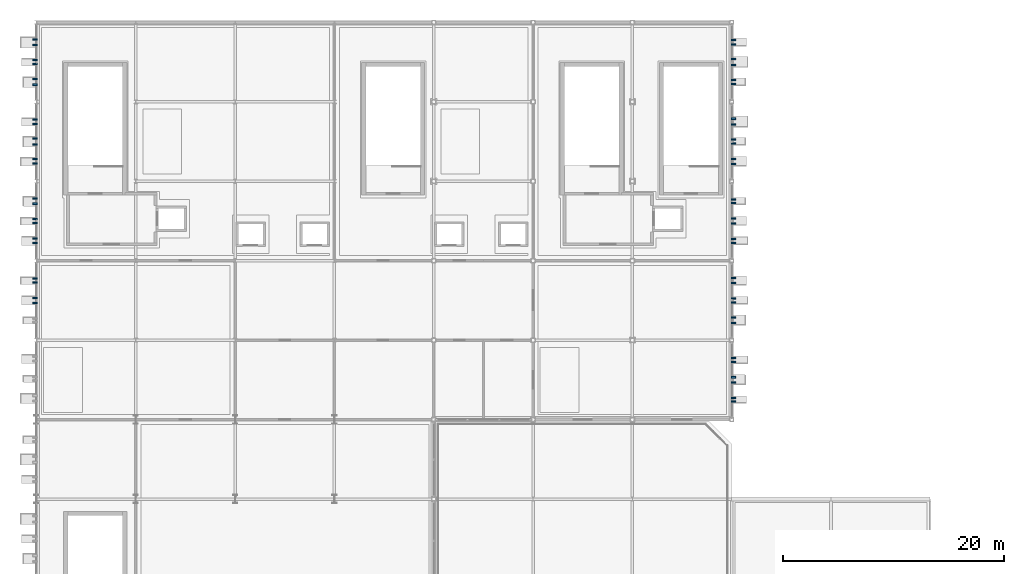
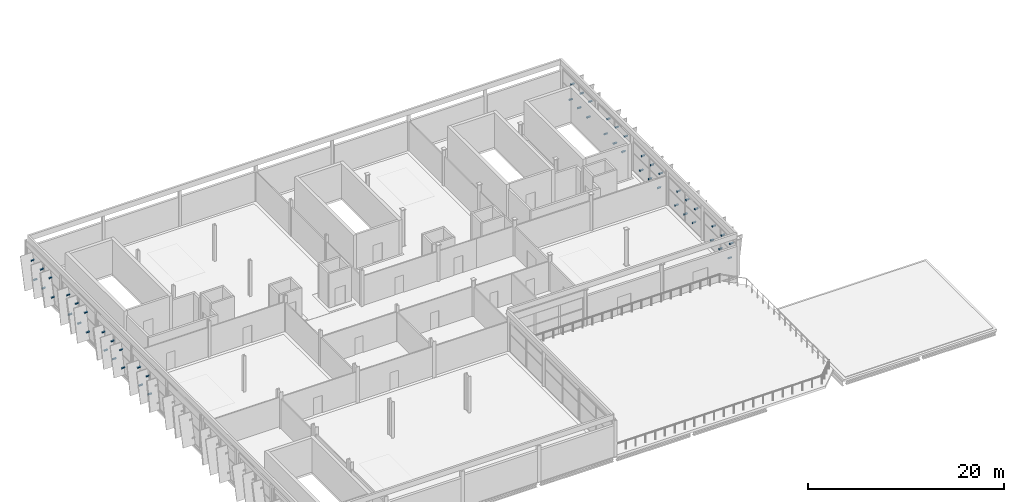
# One storey, part 49 of 52: 52 discrete accessories.
"""IFC4 building model written with IfcOpenShell, lengths in metres."""

from ifc_helpers import new_model, si_unit, direction, frame, origin, origin_2d, place, context, subcontext, project, spatial, rectangle, extrude, material, type_object, element, save


model = new_model("IFC4")

# Units and contexts
model_context = context("Model", 3, precision=1e-05, world=origin(), true_north=direction((0.0, 1.0)))
body_context = subcontext(model_context, "Body", "Model", "MODEL_VIEW")
ifc_project = project(units=[si_unit("LENGTHUNIT", "METRE"), si_unit("AREAUNIT", "SQUARE_METRE"), si_unit("VOLUMEUNIT", "CUBIC_METRE"), si_unit("PLANEANGLEUNIT", "RADIAN"), si_unit("MASSUNIT", "GRAM", prefix="KILO")], contexts=[model_context])

# Site, building, storey
site_placement = place(None, origin())
site = spatial("IfcSite", under=ifc_project, at=site_placement, CompositionType="ELEMENT")
building_placement = place(site_placement, origin())
building = spatial("IfcBuilding", under=site, at=building_placement, Name="Celestram Park Convention Centre", CompositionType="ELEMENT")
storey_placement = place(building_placement, frame((0.0, 0.0, 24.300048828125)))
storey = spatial("IfcBuildingStorey", under=building, at=storey_placement, Name="L05", CompositionType="ELEMENT", Elevation=24.300048828125)

# Discrete accessories
ifc_material = material(Name="Steel ASTM A500 Grade C", Category="steel")
discrete_accessory_type = type_object("IfcDiscreteAccessoryType", Name="ARC-BRK-OUT400", PredefinedType="BRACKET", material=ifc_material)
for number, where, z_axis, x_axis, name in (
    (1, (35.85009765625, 140.1865234375, 0.7578125), (0.0, 0.0, 1.0), (-1.0, 0.0, 0.0), "Solar fin outrigger bracket BK-L05-1543"),
    (2, (35.85009765625, 140.613525390625, 2.75), (0.0, 0.0, 1.0), (-1.0, 0.0, 0.0), "Solar fin outrigger bracket BK-L05-1544"),
    (3, (35.85009765625, 142.01611328125, 0.751953125), (0.0, 0.0, 1.0), (-1.0, 0.0, 0.0), "Solar fin outrigger bracket BK-L05-1545"),
    (4, (35.85009765625, 142.3837890625, 2.755859375), (0.0, 0.0, 1.0), (-1.0, 0.0, 0.0), "Solar fin outrigger bracket BK-L05-1546"),
    (5, (35.85009765625, 145.58642578125, 0.7578125), (0.0, 0.0, 1.0), (-1.0, 0.0, 0.0), "Solar fin outrigger bracket BK-L05-1547"),
    (6, (35.85009765625, 146.013427734375, 2.75), (0.0, 0.0, 1.0), (-1.0, 0.0, 0.0), "Solar fin outrigger bracket BK-L05-1548"),
    (7, (35.85009765625, 147.416015625, 0.751953125), (0.0, 0.0, 1.0), (-1.0, 0.0, 0.0), "Solar fin outrigger bracket BK-L05-1549"),
    (8, (35.85009765625, 147.783935546875, 2.755859375), (0.0, 0.0, 1.0), (-1.0, 0.0, 0.0), "Solar fin outrigger bracket BK-L05-1550"),
    (9, (35.85009765625, 149.163818359375, 0.76318359375), (0.0, 0.0, 1.0), (-1.0, 0.0, 0.0), "Solar fin outrigger bracket BK-L05-1551"),
    (10, (35.85009765625, 149.635986328125, 2.7451171875), (0.0, 0.0, 1.0), (-1.0, 0.0, 0.0), "Solar fin outrigger bracket BK-L05-1552"),
    (11, (35.85009765625, 152.7978515625, 0.83349609375), (0.0, 0.0, 1.0), (-1.0, 0.0, 0.0), "Solar fin outrigger bracket BK-L05-1553"),
    (12, (35.85009765625, 153.2021484375, 3.03662109375), (0.0, 0.0, 1.0), (-1.0, 0.0, 0.0), "Solar fin outrigger bracket BK-L05-1554"),
    (13, (35.85009765625, 154.540283203125, 0.845703125), (0.0, 0.0, 1.0), (-1.0, 0.0, 0.0), "Solar fin outrigger bracket BK-L05-1555"),
    (14, (35.85009765625, 155.0595703125, 3.0244140625), (0.0, 0.0, 1.0), (-1.0, 0.0, 0.0), "Solar fin outrigger bracket BK-L05-1556"),
    (15, (35.85009765625, 156.409423828125, 0.83154296875), (0.0, 0.0, 1.0), (-1.0, 0.0, 0.0), "Solar fin outrigger bracket BK-L05-1557"),
    (16, (35.85009765625, 156.79052734375, 3.03857421875), (0.0, 0.0, 1.0), (-1.0, 0.0, 0.0), "Solar fin outrigger bracket BK-L05-1558"),
    (17, (35.85009765625, 159.947265625, 0.8212890625), (0.0, 0.0, 1.0), (-1.0, 0.0, 0.0), "Solar fin outrigger bracket BK-L05-1559"),
    (18, (35.85009765625, 160.45263671875, 2.9423828125), (0.0, 0.0, 1.0), (-1.0, 0.0, 0.0), "Solar fin outrigger bracket BK-L05-1560"),
    (19, (35.85009765625, 161.814453125, 0.8076171875), (0.0, 0.0, 1.0), (-1.0, 0.0, 0.0), "Solar fin outrigger bracket BK-L05-1561"),
    (20, (35.85009765625, 162.185546875, 2.95654296875), (0.0, 0.0, 1.0), (-1.0, 0.0, 0.0), "Solar fin outrigger bracket BK-L05-1562"),
    (21, (35.85009765625, 163.539794921875, 0.8232421875), (0.0, 0.0, 1.0), (-1.0, 0.0, 0.0), "Solar fin outrigger bracket BK-L05-1563"),
    (22, (35.85009765625, 164.06005859375, 2.94091796875), (0.0, 0.0, 1.0), (-1.0, 0.0, 0.0), "Solar fin outrigger bracket BK-L05-1564"),
    (23, (99.14990234375, 163.985595703125, 0.8076171875), (0.0, 0.0, 1.0), (1.0, 0.0, 0.0), "Solar fin outrigger bracket BK-L05-1565"),
    (24, (99.14990234375, 163.614501953125, 2.95654296875), (0.0, 0.0, 1.0), (1.0, 0.0, 0.0), "Solar fin outrigger bracket BK-L05-1566"),
    (25, (99.14990234375, 162.260009765625, 0.8232421875), (0.0, 0.0, 1.0), (1.0, 0.0, 0.0), "Solar fin outrigger bracket BK-L05-1567"),
    (26, (99.14990234375, 161.739990234375, 2.94091796875), (0.0, 0.0, 1.0), (1.0, 0.0, 0.0), "Solar fin outrigger bracket BK-L05-1568"),
    (27, (99.14990234375, 160.374267578125, 0.8056640625), (0.0, 0.0, 1.0), (1.0, 0.0, 0.0), "Solar fin outrigger bracket BK-L05-1569"),
    (28, (99.14990234375, 160.025634765625, 2.95849609375), (0.0, 0.0, 1.0), (1.0, 0.0, 0.0), "Solar fin outrigger bracket BK-L05-1570"),
    (29, (99.14990234375, 156.8671875, 0.84716796875), (0.0, 0.0, 1.0), (1.0, 0.0, 0.0), "Solar fin outrigger bracket BK-L05-1571"),
    (30, (99.14990234375, 156.332763671875, 3.0224609375), (0.0, 0.0, 1.0), (1.0, 0.0, 0.0), "Solar fin outrigger bracket BK-L05-1572"),
    (31, (99.14990234375, 154.97900390625, 0.82958984375), (0.0, 0.0, 1.0), (1.0, 0.0, 0.0), "Solar fin outrigger bracket BK-L05-1573"),
    (32, (99.14990234375, 154.620849609375, 3.04052734375), (0.0, 0.0, 1.0), (1.0, 0.0, 0.0), "Solar fin outrigger bracket BK-L05-1574"),
    (33, (99.14990234375, 153.23486328125, 0.83984375), (0.0, 0.0, 1.0), (1.0, 0.0, 0.0), "Solar fin outrigger bracket BK-L05-1575"),
    (34, (99.14990234375, 152.76513671875, 3.0302734375), (0.0, 0.0, 1.0), (1.0, 0.0, 0.0), "Solar fin outrigger bracket BK-L05-1576"),
    (35, (99.14990234375, 149.56298828125, 0.74853515625), (0.0, 0.0, 1.0), (1.0, 0.0, 0.0), "Solar fin outrigger bracket BK-L05-1577"),
    (36, (99.14990234375, 149.237060546875, 2.75927734375), (0.0, 0.0, 1.0), (1.0, 0.0, 0.0), "Solar fin outrigger bracket BK-L05-1578"),
    (37, (99.14990234375, 147.8134765625, 0.7578125), (0.0, 0.0, 1.0), (1.0, 0.0, 0.0), "Solar fin outrigger bracket BK-L05-1579"),
    (38, (99.14990234375, 147.386474609375, 2.75), (0.0, 0.0, 1.0), (1.0, 0.0, 0.0), "Solar fin outrigger bracket BK-L05-1580"),
    (39, (99.14990234375, 145.98388671875, 0.751953125), (0.0, 0.0, 1.0), (1.0, 0.0, 0.0), "Solar fin outrigger bracket BK-L05-1581"),
    (40, (99.14990234375, 145.6162109375, 2.755859375), (0.0, 0.0, 1.0), (1.0, 0.0, 0.0), "Solar fin outrigger bracket BK-L05-1582"),
    (41, (99.14990234375, 142.41357421875, 0.7578125), (0.0, 0.0, 1.0), (1.0, 0.0, 0.0), "Solar fin outrigger bracket BK-L05-1583"),
    (42, (99.14990234375, 141.986572265625, 2.75), (0.0, 0.0, 1.0), (1.0, 0.0, 0.0), "Solar fin outrigger bracket BK-L05-1584"),
    (43, (99.14990234375, 140.583984375, 0.751953125), (0.0, 0.0, 1.0), (1.0, 0.0, 0.0), "Solar fin outrigger bracket BK-L05-1585"),
    (44, (99.14990234375, 140.216064453125, 2.755859375), (0.0, 0.0, 1.0), (1.0, 0.0, 0.0), "Solar fin outrigger bracket BK-L05-1586"),
    (45, (99.14990234375, 138.836181640625, 0.76318359375), (0.0, 0.0, 1.0), (1.0, 0.0, 0.0), "Solar fin outrigger bracket BK-L05-1587"),
    (46, (99.14990234375, 138.364013671875, 2.7451171875), (0.0, 0.0, 1.0), (1.0, 0.0, 0.0), "Solar fin outrigger bracket BK-L05-1588"),
    (47, (99.14990234375, 135.183837890625, 0.751953125), (0.0, 0.0, 1.0), (1.0, 0.0, 0.0), "Solar fin outrigger bracket BK-L05-1589"),
    (48, (99.14990234375, 134.816162109375, 2.755859375), (0.0, 0.0, 1.0), (1.0, 0.0, 0.0), "Solar fin outrigger bracket BK-L05-1590"),
    (49, (99.14990234375, 133.43603515625, 0.76318359375), (0.0, 0.0, 1.0), (1.0, 0.0, 0.0), "Solar fin outrigger bracket BK-L05-1591"),
    (50, (99.14990234375, 132.9638671875, 2.7451171875), (0.0, 0.0, 1.0), (1.0, 0.0, 0.0), "Solar fin outrigger bracket BK-L05-1592"),
    (51, (99.14990234375, 131.573486328125, 0.75), (0.0, 0.0, 1.0), (1.0, 0.0, 0.0), "Solar fin outrigger bracket BK-L05-1593"),
    (52, (99.14990234375, 131.2265625, 2.7578125), (0.0, 0.0, 1.0), (1.0, 0.0, 0.0), "Solar fin outrigger bracket BK-L05-1594"),
):
    element("IfcDiscreteAccessory", number, at=place(storey_placement, frame(where, z_axis=z_axis, x_axis=x_axis)), inside=storey, type_object=discrete_accessory_type, Name=name, PredefinedType="BRACKET", context=body_context, shape_type="SweptSolid", body=[
        extrude(rectangle(XDim=0.39990234375, YDim=0.139892578125, at=origin_2d()), origin(), (0.0, 0.0, 1.0), 0.139892578125),
    ])

save(model, "model.ifc")
